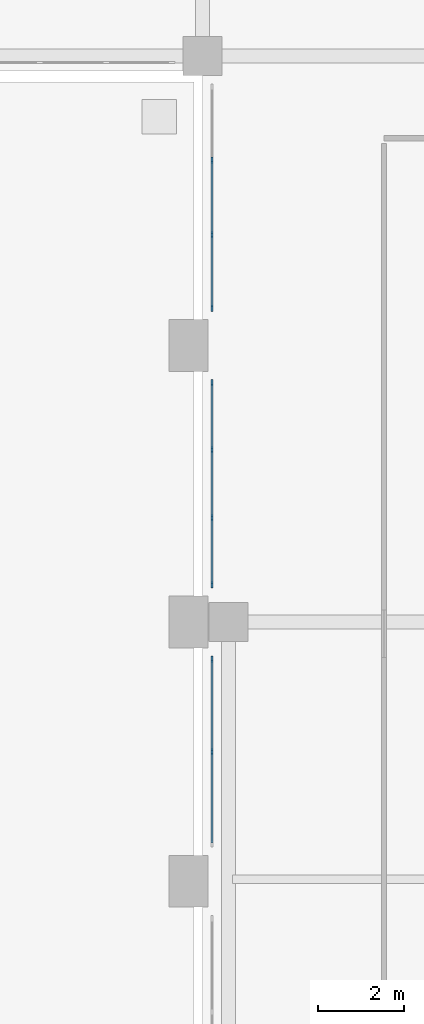
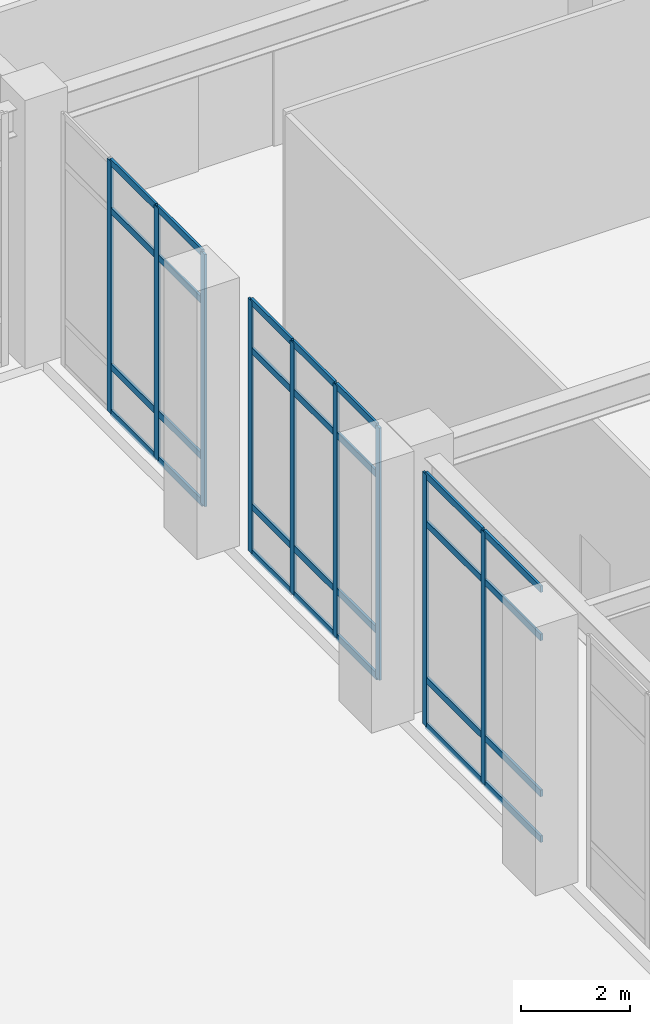
# One storey, part 74 of 143: 37 members, 3 elements without a shape of their own.
"""IFC4 building model written with IfcOpenShell, lengths in metres."""

from ifc_helpers import new_model, si_unit, derived_unit, direction, frame, origin, origin_2d, place, context, subcontext, project, spatial, rectangle, extrude, material, layer, layer_set, material_profile, profile_set, type_object, element, aggregate, save


model = new_model("IFC4")

# Units and contexts
model_context = context("Model", 3, precision=1e-05, world=origin(), true_north=direction((0.0, 1.0)))
body_context = subcontext(model_context, "Body", "Model", "MODEL_VIEW")
ifc_project = project(units=[si_unit("LENGTHUNIT", "METRE"), si_unit("AREAUNIT", "SQUARE_METRE"), si_unit("VOLUMEUNIT", "CUBIC_METRE"), si_unit("PLANEANGLEUNIT", "RADIAN"), si_unit("MASSUNIT", "GRAM", prefix="KILO"), derived_unit("THERMALTRANSMITTANCEUNIT", [(si_unit("MASSUNIT", "GRAM", prefix="KILO"), 1), (si_unit("TIMEUNIT", "SECOND"), -3), (si_unit("THERMODYNAMICTEMPERATUREUNIT", "KELVIN"), -1)])], contexts=[model_context])

# Site, building, storey
site_placement = place(None, origin())
site = spatial("IfcSite", under=ifc_project, at=site_placement, CompositionType="ELEMENT")
building_placement = place(site_placement, origin())
building = spatial("IfcBuilding", under=site, at=building_placement, Name="Valcora Ridge Arena", CompositionType="ELEMENT")
storey_placement = place(building_placement, origin())
storey = spatial("IfcBuildingStorey", under=building, at=storey_placement, Name="L00", CompositionType="ELEMENT", Elevation=0.0)

# Curtain wall, members
ifc_material = material(Name="Anodised dark bronze architectural aluminium 6063-T6", Category="aluminium")
ifc_layer_1 = layer(ifc_material, 0.14990234375, Name="Anodised dark bronze architectural aluminium 6063-T6")
ifc_layer_set_1 = layer_set([ifc_layer_1], Name="Anodised dark bronze architectural aluminium 6063-T6")
curtain_wall_type_1 = type_object("IfcCurtainWallType", Name="TY-CURTAINWALL-CW-V5-MED-043X56", PredefinedType="NOTDEFINED", material=ifc_layer_set_1)
curtain_wall_1_placement = place(storey_placement, origin())
curtain_wall_1 = element("IfcCurtainWall", 1, at=curtain_wall_1_placement, inside=storey, type_object=curtain_wall_type_1, Name="CW-V5-MED-043X56 CW-0313", PredefinedType="NOTDEFINED")
ifc_material_profile_1 = material_profile(ifc_material, rectangle(XDim=0.050048828125, YDim=0.14990234375, at=origin_2d()), Name="ALU MULLION 50x150")
ifc_profile_set_1 = profile_set([ifc_material_profile_1], Name="Anodised dark bronze architectural aluminium 6063-T6")
member_type_1 = type_object("IfcMemberType", Name="TY-MEM-CWM-50x150", PredefinedType="MULLION", material=ifc_profile_set_1)
member_1_placement = place(storey_placement, frame((156.219970703125, 92.60009765625, 0.0), z_axis=(0.0, 0.0, 1.0), x_axis=(-1.0, 0.0, 0.0)))
member_1 = element("IfcMember", 2, at=member_1_placement, type_object=member_type_1, Name="CW-0313/CWM-50x150/M01", PredefinedType="MULLION", context=body_context, shape_type="SweptSolid", body=[
    extrude(rectangle(XDim=0.050048828125, YDim=0.14990234375, at=origin_2d()), origin(), (0.0, 0.0, 1.0), 5.639892578125),
])
member_2_placement = place(storey_placement, frame((156.219970703125, 94.735107421875, 0.0), z_axis=(0.0, 0.0, 1.0), x_axis=(-1.0, 0.0, 0.0)))
member_2 = element("IfcMember", 3, at=member_2_placement, type_object=member_type_1, Name="CW-0313/CWM-50x150/M02", PredefinedType="MULLION", context=body_context, shape_type="SweptSolid", body=[
    extrude(rectangle(XDim=0.050048828125, YDim=0.14990234375, at=origin_2d()), origin(), (0.0, 0.0, 1.0), 5.639892578125),
])

ifc_layer_2 = layer(ifc_material, 0.14990234375, Name="Anodised dark bronze architectural aluminium 6063-T6")
ifc_layer_set_2 = layer_set([ifc_layer_2], Name="Anodised dark bronze architectural aluminium 6063-T6")
curtain_wall_type_2 = type_object("IfcCurtainWallType", Name="TY-CURTAINWALL-CW-V5-MED-047X56", PredefinedType="NOTDEFINED", material=ifc_layer_set_2)
curtain_wall_2_placement = place(storey_placement, origin())
curtain_wall_2 = element("IfcCurtainWall", 4, at=curtain_wall_2_placement, inside=storey, type_object=curtain_wall_type_2, Name="CW-V5-MED-047X56 CW-0314", PredefinedType="NOTDEFINED")
member_3_placement = place(storey_placement, frame((156.219970703125, 96.465087890625, 0.0), z_axis=(0.0, 0.0, 1.0), x_axis=(-1.0, 0.0, 0.0)))
member_3 = element("IfcMember", 5, at=member_3_placement, type_object=member_type_1, Name="CW-0314/CWM-50x150/M00", PredefinedType="MULLION", context=body_context, shape_type="SweptSolid", body=[
    extrude(rectangle(XDim=0.050048828125, YDim=0.14990234375, at=origin_2d()), origin(), (0.0, 0.0, 1.0), 5.639892578125),
])
member_4_placement = place(storey_placement, frame((156.219970703125, 98.01318359375, 0.0), z_axis=(0.0, 0.0, 1.0), x_axis=(-1.0, 0.0, 0.0)))
member_4 = element("IfcMember", 6, at=member_4_placement, type_object=member_type_1, Name="CW-0314/CWM-50x150/M01", PredefinedType="MULLION", context=body_context, shape_type="SweptSolid", body=[
    extrude(rectangle(XDim=0.050048828125, YDim=0.14990234375, at=origin_2d()), origin(), (0.0, 0.0, 1.0), 5.639892578125),
])
member_5_placement = place(storey_placement, frame((156.219970703125, 99.586669921875, 0.0), z_axis=(0.0, 0.0, 1.0), x_axis=(-1.0, 0.0, 0.0)))
member_5 = element("IfcMember", 7, at=member_5_placement, type_object=member_type_1, Name="CW-0314/CWM-50x150/M02", PredefinedType="MULLION", context=body_context, shape_type="SweptSolid", body=[
    extrude(rectangle(XDim=0.050048828125, YDim=0.14990234375, at=origin_2d()), origin(), (0.0, 0.0, 1.0), 5.639892578125),
])
member_6_placement = place(storey_placement, frame((156.219970703125, 101.135009765625, 0.0), z_axis=(0.0, 0.0, 1.0), x_axis=(-1.0, 0.0, 0.0)))
member_6 = element("IfcMember", 8, at=member_6_placement, type_object=member_type_1, Name="CW-0314/CWM-50x150/M03", PredefinedType="MULLION", context=body_context, shape_type="SweptSolid", body=[
    extrude(rectangle(XDim=0.050048828125, YDim=0.14990234375, at=origin_2d()), origin(), (0.0, 0.0, 1.0), 5.639892578125),
])

ifc_layer_3 = layer(ifc_material, 0.14990234375, Name="Anodised dark bronze architectural aluminium 6063-T6")
ifc_layer_set_3 = layer_set([ifc_layer_3], Name="Anodised dark bronze architectural aluminium 6063-T6")
curtain_wall_type_3 = type_object("IfcCurtainWallType", Name="TY-CURTAINWALL-CW-V5-MED-052X56", PredefinedType="NOTDEFINED", material=ifc_layer_set_3)
curtain_wall_3_placement = place(storey_placement, origin())
curtain_wall_3 = element("IfcCurtainWall", 9, at=curtain_wall_3_placement, inside=storey, type_object=curtain_wall_type_3, Name="CW-V5-MED-052X56 CW-0315", PredefinedType="NOTDEFINED")
member_7_placement = place(storey_placement, frame((156.219970703125, 102.864990234375, 0.0), z_axis=(0.0, 0.0, 1.0), x_axis=(-1.0, 0.0, 0.0)))
member_7 = element("IfcMember", 10, at=member_7_placement, type_object=member_type_1, Name="CW-0315/CWM-50x150/M00", PredefinedType="MULLION", context=body_context, shape_type="SweptSolid", body=[
    extrude(rectangle(XDim=0.050048828125, YDim=0.14990234375, at=origin_2d()), origin(), (0.0, 0.0, 1.0), 5.639892578125),
])
member_8_placement = place(storey_placement, frame((156.219970703125, 104.563232421875, 0.0), z_axis=(0.0, 0.0, 1.0), x_axis=(-1.0, 0.0, 0.0)))
member_8 = element("IfcMember", 11, at=member_8_placement, type_object=member_type_1, Name="CW-0315/CWM-50x150/M01", PredefinedType="MULLION", context=body_context, shape_type="SweptSolid", body=[
    extrude(rectangle(XDim=0.050048828125, YDim=0.14990234375, at=origin_2d()), origin(), (0.0, 0.0, 1.0), 5.639892578125),
])
member_9_placement = place(storey_placement, frame((156.219970703125, 106.28662109375, 0.0), z_axis=(0.0, 0.0, 1.0), x_axis=(-1.0, 0.0, 0.0)))
member_9 = element("IfcMember", 12, at=member_9_placement, type_object=member_type_1, Name="CW-0315/CWM-50x150/M02", PredefinedType="MULLION", context=body_context, shape_type="SweptSolid", body=[
    extrude(rectangle(XDim=0.050048828125, YDim=0.14990234375, at=origin_2d()), origin(), (0.0, 0.0, 1.0), 5.639892578125),
])

# Member
ifc_material_profile_2 = material_profile(ifc_material, rectangle(XDim=0.050048828125, YDim=0.14990234375, at=origin_2d()), Name="ALU TRANSOM 50x150")
ifc_profile_set_2 = profile_set([ifc_material_profile_2], Name="Anodised dark bronze architectural aluminium 6063-T6")
member_type_2 = type_object("IfcMemberType", Name="TY-MEM-CWT-50x150", PredefinedType="USERDEFINED", material=ifc_profile_set_2)
member_10_placement = place(storey_placement, frame((156.219970703125, 90.489990234375, 0.02490234375), z_axis=(0.0, 1.0, 0.0), x_axis=(-1.0, 0.0, 0.0)))
member_10 = element("IfcMember", 13, at=member_10_placement, type_object=member_type_2, Name="CW-0313/CWT-50x150/T00-00", ObjectType="TRANSOM", PredefinedType="USERDEFINED", context=body_context, shape_type="SweptSolid", body=[
    extrude(rectangle(XDim=0.050048828125, YDim=0.14990234375, at=origin_2d()), origin(), (0.0, 0.0, 1.0), 2.0849609375),
])

member_11_placement = place(storey_placement, frame((156.219970703125, 90.489990234375, 1.050048828125), z_axis=(0.0, 1.0, 0.0), x_axis=(-1.0, 0.0, 0.0)))
member_11 = element("IfcMember", 14, at=member_11_placement, type_object=member_type_2, Name="CW-0313/CWT-50x150/T00-01", ObjectType="TRANSOM", PredefinedType="USERDEFINED", context=body_context, shape_type="SweptSolid", body=[
    extrude(rectangle(XDim=0.050048828125, YDim=0.14990234375, at=origin_2d()), origin(), (0.0, 0.0, 1.0), 2.0849609375),
])

member_12_placement = place(storey_placement, frame((156.219970703125, 90.489990234375, 4.5400390625), z_axis=(0.0, 1.0, 0.0), x_axis=(-1.0, 0.0, 0.0)))
member_12 = element("IfcMember", 15, at=member_12_placement, type_object=member_type_2, Name="CW-0313/CWT-50x150/T00-02", ObjectType="TRANSOM", PredefinedType="USERDEFINED", context=body_context, shape_type="SweptSolid", body=[
    extrude(rectangle(XDim=0.050048828125, YDim=0.14990234375, at=origin_2d()), origin(), (0.0, 0.0, 1.0), 2.0849609375),
])

member_13_placement = place(storey_placement, frame((156.219970703125, 90.489990234375, 5.614990234375), z_axis=(0.0, 1.0, 0.0), x_axis=(-1.0, 0.0, 0.0)))
member_13 = element("IfcMember", 16, at=member_13_placement, type_object=member_type_2, Name="CW-0313/CWT-50x150/T00-03", ObjectType="TRANSOM", PredefinedType="USERDEFINED", context=body_context, shape_type="SweptSolid", body=[
    extrude(rectangle(XDim=0.050048828125, YDim=0.14990234375, at=origin_2d()), origin(), (0.0, 0.0, 1.0), 2.0849609375),
])

member_14_placement = place(storey_placement, frame((156.219970703125, 92.625, 0.02490234375), z_axis=(0.0, 1.0, 0.0), x_axis=(-1.0, 0.0, 0.0)))
member_14 = element("IfcMember", 17, at=member_14_placement, type_object=member_type_2, Name="CW-0313/CWT-50x150/T01-00", ObjectType="TRANSOM", PredefinedType="USERDEFINED", context=body_context, shape_type="SweptSolid", body=[
    extrude(rectangle(XDim=0.050048828125, YDim=0.14990234375, at=origin_2d()), origin(), (0.0, 0.0, 1.0), 2.0849609375),
])

member_15_placement = place(storey_placement, frame((156.219970703125, 92.625, 1.050048828125), z_axis=(0.0, 1.0, 0.0), x_axis=(-1.0, 0.0, 0.0)))
member_15 = element("IfcMember", 18, at=member_15_placement, type_object=member_type_2, Name="CW-0313/CWT-50x150/T01-01", ObjectType="TRANSOM", PredefinedType="USERDEFINED", context=body_context, shape_type="SweptSolid", body=[
    extrude(rectangle(XDim=0.050048828125, YDim=0.14990234375, at=origin_2d()), origin(), (0.0, 0.0, 1.0), 2.0849609375),
])

member_16_placement = place(storey_placement, frame((156.219970703125, 92.625, 4.5400390625), z_axis=(0.0, 1.0, 0.0), x_axis=(-1.0, 0.0, 0.0)))
member_16 = element("IfcMember", 19, at=member_16_placement, type_object=member_type_2, Name="CW-0313/CWT-50x150/T01-02", ObjectType="TRANSOM", PredefinedType="USERDEFINED", context=body_context, shape_type="SweptSolid", body=[
    extrude(rectangle(XDim=0.050048828125, YDim=0.14990234375, at=origin_2d()), origin(), (0.0, 0.0, 1.0), 2.0849609375),
])

member_17_placement = place(storey_placement, frame((156.219970703125, 92.625, 5.614990234375), z_axis=(0.0, 1.0, 0.0), x_axis=(-1.0, 0.0, 0.0)))
member_17 = element("IfcMember", 20, at=member_17_placement, type_object=member_type_2, Name="CW-0313/CWT-50x150/T01-03", ObjectType="TRANSOM", PredefinedType="USERDEFINED", context=body_context, shape_type="SweptSolid", body=[
    extrude(rectangle(XDim=0.050048828125, YDim=0.14990234375, at=origin_2d()), origin(), (0.0, 0.0, 1.0), 2.0849609375),
])

aggregate(curtain_wall_1, [member_1, member_2, member_10, member_11, member_12, member_13, member_14, member_15, member_16, member_17])

member_18_placement = place(storey_placement, frame((156.219970703125, 96.489990234375, 0.02490234375), z_axis=(0.0, 1.0, 0.0), x_axis=(-1.0, 0.0, 0.0)))
member_18 = element("IfcMember", 21, at=member_18_placement, type_object=member_type_2, Name="CW-0314/CWT-50x150/T00-00", ObjectType="TRANSOM", PredefinedType="USERDEFINED", context=body_context, shape_type="SweptSolid", body=[
    extrude(rectangle(XDim=0.050048828125, YDim=0.14990234375, at=origin_2d()), origin(), (0.0, 0.0, 1.0), 1.498046875),
])

member_19_placement = place(storey_placement, frame((156.219970703125, 96.489990234375, 1.050048828125), z_axis=(0.0, 1.0, 0.0), x_axis=(-1.0, 0.0, 0.0)))
member_19 = element("IfcMember", 22, at=member_19_placement, type_object=member_type_2, Name="CW-0314/CWT-50x150/T00-01", ObjectType="TRANSOM", PredefinedType="USERDEFINED", context=body_context, shape_type="SweptSolid", body=[
    extrude(rectangle(XDim=0.050048828125, YDim=0.14990234375, at=origin_2d()), origin(), (0.0, 0.0, 1.0), 1.498046875),
])

member_20_placement = place(storey_placement, frame((156.219970703125, 96.489990234375, 4.5400390625), z_axis=(0.0, 1.0, 0.0), x_axis=(-1.0, 0.0, 0.0)))
member_20 = element("IfcMember", 23, at=member_20_placement, type_object=member_type_2, Name="CW-0314/CWT-50x150/T00-02", ObjectType="TRANSOM", PredefinedType="USERDEFINED", context=body_context, shape_type="SweptSolid", body=[
    extrude(rectangle(XDim=0.050048828125, YDim=0.14990234375, at=origin_2d()), origin(), (0.0, 0.0, 1.0), 1.498046875),
])

member_21_placement = place(storey_placement, frame((156.219970703125, 96.489990234375, 5.614990234375), z_axis=(0.0, 1.0, 0.0), x_axis=(-1.0, 0.0, 0.0)))
member_21 = element("IfcMember", 24, at=member_21_placement, type_object=member_type_2, Name="CW-0314/CWT-50x150/T00-03", ObjectType="TRANSOM", PredefinedType="USERDEFINED", context=body_context, shape_type="SweptSolid", body=[
    extrude(rectangle(XDim=0.050048828125, YDim=0.14990234375, at=origin_2d()), origin(), (0.0, 0.0, 1.0), 1.498046875),
])

member_22_placement = place(storey_placement, frame((156.219970703125, 98.0380859375, 0.02490234375), z_axis=(0.0, 1.0, 0.0), x_axis=(-1.0, 0.0, 0.0)))
member_22 = element("IfcMember", 25, at=member_22_placement, type_object=member_type_2, Name="CW-0314/CWT-50x150/T01-00", ObjectType="TRANSOM", PredefinedType="USERDEFINED", context=body_context, shape_type="SweptSolid", body=[
    extrude(rectangle(XDim=0.050048828125, YDim=0.14990234375, at=origin_2d()), origin(), (0.0, 0.0, 1.0), 1.52392578125),
])

member_23_placement = place(storey_placement, frame((156.219970703125, 98.0380859375, 1.050048828125), z_axis=(0.0, 1.0, 0.0), x_axis=(-1.0, 0.0, 0.0)))
member_23 = element("IfcMember", 26, at=member_23_placement, type_object=member_type_2, Name="CW-0314/CWT-50x150/T01-01", ObjectType="TRANSOM", PredefinedType="USERDEFINED", context=body_context, shape_type="SweptSolid", body=[
    extrude(rectangle(XDim=0.050048828125, YDim=0.14990234375, at=origin_2d()), origin(), (0.0, 0.0, 1.0), 1.52392578125),
])

member_24_placement = place(storey_placement, frame((156.219970703125, 98.0380859375, 4.5400390625), z_axis=(0.0, 1.0, 0.0), x_axis=(-1.0, 0.0, 0.0)))
member_24 = element("IfcMember", 27, at=member_24_placement, type_object=member_type_2, Name="CW-0314/CWT-50x150/T01-02", ObjectType="TRANSOM", PredefinedType="USERDEFINED", context=body_context, shape_type="SweptSolid", body=[
    extrude(rectangle(XDim=0.050048828125, YDim=0.14990234375, at=origin_2d()), origin(), (0.0, 0.0, 1.0), 1.52392578125),
])

member_25_placement = place(storey_placement, frame((156.219970703125, 98.0380859375, 5.614990234375), z_axis=(0.0, 1.0, 0.0), x_axis=(-1.0, 0.0, 0.0)))
member_25 = element("IfcMember", 28, at=member_25_placement, type_object=member_type_2, Name="CW-0314/CWT-50x150/T01-03", ObjectType="TRANSOM", PredefinedType="USERDEFINED", context=body_context, shape_type="SweptSolid", body=[
    extrude(rectangle(XDim=0.050048828125, YDim=0.14990234375, at=origin_2d()), origin(), (0.0, 0.0, 1.0), 1.52392578125),
])

member_26_placement = place(storey_placement, frame((156.219970703125, 99.612060546875, 0.02490234375), z_axis=(0.0, 1.0, 0.0), x_axis=(-1.0, 0.0, 0.0)))
member_26 = element("IfcMember", 29, at=member_26_placement, type_object=member_type_2, Name="CW-0314/CWT-50x150/T02-00", ObjectType="TRANSOM", PredefinedType="USERDEFINED", context=body_context, shape_type="SweptSolid", body=[
    extrude(rectangle(XDim=0.050048828125, YDim=0.14990234375, at=origin_2d()), origin(), (0.0, 0.0, 1.0), 1.498046875),
])

member_27_placement = place(storey_placement, frame((156.219970703125, 99.612060546875, 1.050048828125), z_axis=(0.0, 1.0, 0.0), x_axis=(-1.0, 0.0, 0.0)))
member_27 = element("IfcMember", 30, at=member_27_placement, type_object=member_type_2, Name="CW-0314/CWT-50x150/T02-01", ObjectType="TRANSOM", PredefinedType="USERDEFINED", context=body_context, shape_type="SweptSolid", body=[
    extrude(rectangle(XDim=0.050048828125, YDim=0.14990234375, at=origin_2d()), origin(), (0.0, 0.0, 1.0), 1.498046875),
])

member_28_placement = place(storey_placement, frame((156.219970703125, 99.612060546875, 4.5400390625), z_axis=(0.0, 1.0, 0.0), x_axis=(-1.0, 0.0, 0.0)))
member_28 = element("IfcMember", 31, at=member_28_placement, type_object=member_type_2, Name="CW-0314/CWT-50x150/T02-02", ObjectType="TRANSOM", PredefinedType="USERDEFINED", context=body_context, shape_type="SweptSolid", body=[
    extrude(rectangle(XDim=0.050048828125, YDim=0.14990234375, at=origin_2d()), origin(), (0.0, 0.0, 1.0), 1.498046875),
])

member_29_placement = place(storey_placement, frame((156.219970703125, 99.612060546875, 5.614990234375), z_axis=(0.0, 1.0, 0.0), x_axis=(-1.0, 0.0, 0.0)))
member_29 = element("IfcMember", 32, at=member_29_placement, type_object=member_type_2, Name="CW-0314/CWT-50x150/T02-03", ObjectType="TRANSOM", PredefinedType="USERDEFINED", context=body_context, shape_type="SweptSolid", body=[
    extrude(rectangle(XDim=0.050048828125, YDim=0.14990234375, at=origin_2d()), origin(), (0.0, 0.0, 1.0), 1.498046875),
])

aggregate(curtain_wall_2, [member_3, member_4, member_5, member_6, member_18, member_19, member_20, member_21, member_22, member_23, member_24, member_25, member_26, member_27, member_28, member_29])

member_30_placement = place(storey_placement, frame((156.219970703125, 102.889892578125, 0.02490234375), z_axis=(0.0, 1.0, 0.0), x_axis=(-1.0, 0.0, 0.0)))
member_30 = element("IfcMember", 33, at=member_30_placement, type_object=member_type_2, Name="CW-0315/CWT-50x150/T00-00", ObjectType="TRANSOM", PredefinedType="USERDEFINED", context=body_context, shape_type="SweptSolid", body=[
    extrude(rectangle(XDim=0.050048828125, YDim=0.14990234375, at=origin_2d()), origin(), (0.0, 0.0, 1.0), 1.648193359375),
])

member_31_placement = place(storey_placement, frame((156.219970703125, 102.889892578125, 1.050048828125), z_axis=(0.0, 1.0, 0.0), x_axis=(-1.0, 0.0, 0.0)))
member_31 = element("IfcMember", 34, at=member_31_placement, type_object=member_type_2, Name="CW-0315/CWT-50x150/T00-01", ObjectType="TRANSOM", PredefinedType="USERDEFINED", context=body_context, shape_type="SweptSolid", body=[
    extrude(rectangle(XDim=0.050048828125, YDim=0.14990234375, at=origin_2d()), origin(), (0.0, 0.0, 1.0), 1.648193359375),
])

member_32_placement = place(storey_placement, frame((156.219970703125, 102.889892578125, 4.5400390625), z_axis=(0.0, 1.0, 0.0), x_axis=(-1.0, 0.0, 0.0)))
member_32 = element("IfcMember", 35, at=member_32_placement, type_object=member_type_2, Name="CW-0315/CWT-50x150/T00-02", ObjectType="TRANSOM", PredefinedType="USERDEFINED", context=body_context, shape_type="SweptSolid", body=[
    extrude(rectangle(XDim=0.050048828125, YDim=0.14990234375, at=origin_2d()), origin(), (0.0, 0.0, 1.0), 1.648193359375),
])

member_33_placement = place(storey_placement, frame((156.219970703125, 102.889892578125, 5.614990234375), z_axis=(0.0, 1.0, 0.0), x_axis=(-1.0, 0.0, 0.0)))
member_33 = element("IfcMember", 36, at=member_33_placement, type_object=member_type_2, Name="CW-0315/CWT-50x150/T00-03", ObjectType="TRANSOM", PredefinedType="USERDEFINED", context=body_context, shape_type="SweptSolid", body=[
    extrude(rectangle(XDim=0.050048828125, YDim=0.14990234375, at=origin_2d()), origin(), (0.0, 0.0, 1.0), 1.648193359375),
])

member_34_placement = place(storey_placement, frame((156.219970703125, 104.587890625, 0.02490234375), z_axis=(0.0, 1.0, 0.0), x_axis=(-1.0, 0.0, 0.0)))
member_34 = element("IfcMember", 37, at=member_34_placement, type_object=member_type_2, Name="CW-0315/CWT-50x150/T01-00", ObjectType="TRANSOM", PredefinedType="USERDEFINED", context=body_context, shape_type="SweptSolid", body=[
    extrude(rectangle(XDim=0.050048828125, YDim=0.14990234375, at=origin_2d()), origin(), (0.0, 0.0, 1.0), 1.674072265625),
])

member_35_placement = place(storey_placement, frame((156.219970703125, 104.587890625, 1.050048828125), z_axis=(0.0, 1.0, 0.0), x_axis=(-1.0, 0.0, 0.0)))
member_35 = element("IfcMember", 38, at=member_35_placement, type_object=member_type_2, Name="CW-0315/CWT-50x150/T01-01", ObjectType="TRANSOM", PredefinedType="USERDEFINED", context=body_context, shape_type="SweptSolid", body=[
    extrude(rectangle(XDim=0.050048828125, YDim=0.14990234375, at=origin_2d()), origin(), (0.0, 0.0, 1.0), 1.674072265625),
])

member_36_placement = place(storey_placement, frame((156.219970703125, 104.587890625, 4.5400390625), z_axis=(0.0, 1.0, 0.0), x_axis=(-1.0, 0.0, 0.0)))
member_36 = element("IfcMember", 39, at=member_36_placement, type_object=member_type_2, Name="CW-0315/CWT-50x150/T01-02", ObjectType="TRANSOM", PredefinedType="USERDEFINED", context=body_context, shape_type="SweptSolid", body=[
    extrude(rectangle(XDim=0.050048828125, YDim=0.14990234375, at=origin_2d()), origin(), (0.0, 0.0, 1.0), 1.674072265625),
])

member_37_placement = place(storey_placement, frame((156.219970703125, 104.587890625, 5.614990234375), z_axis=(0.0, 1.0, 0.0), x_axis=(-1.0, 0.0, 0.0)))
member_37 = element("IfcMember", 40, at=member_37_placement, type_object=member_type_2, Name="CW-0315/CWT-50x150/T01-03", ObjectType="TRANSOM", PredefinedType="USERDEFINED", context=body_context, shape_type="SweptSolid", body=[
    extrude(rectangle(XDim=0.050048828125, YDim=0.14990234375, at=origin_2d()), origin(), (0.0, 0.0, 1.0), 1.674072265625),
])

aggregate(curtain_wall_3, [member_7, member_8, member_9, member_30, member_31, member_32, member_33, member_34, member_35, member_36, member_37])

save(model, "model.ifc")
